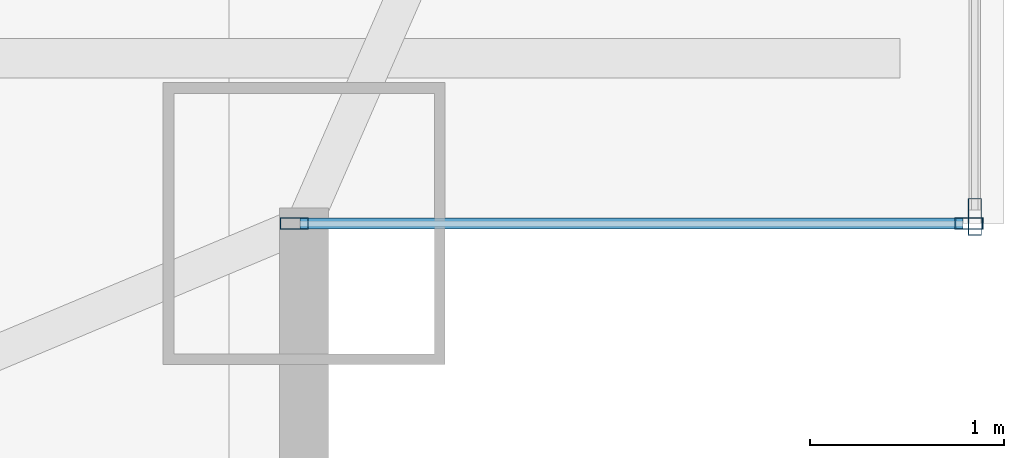
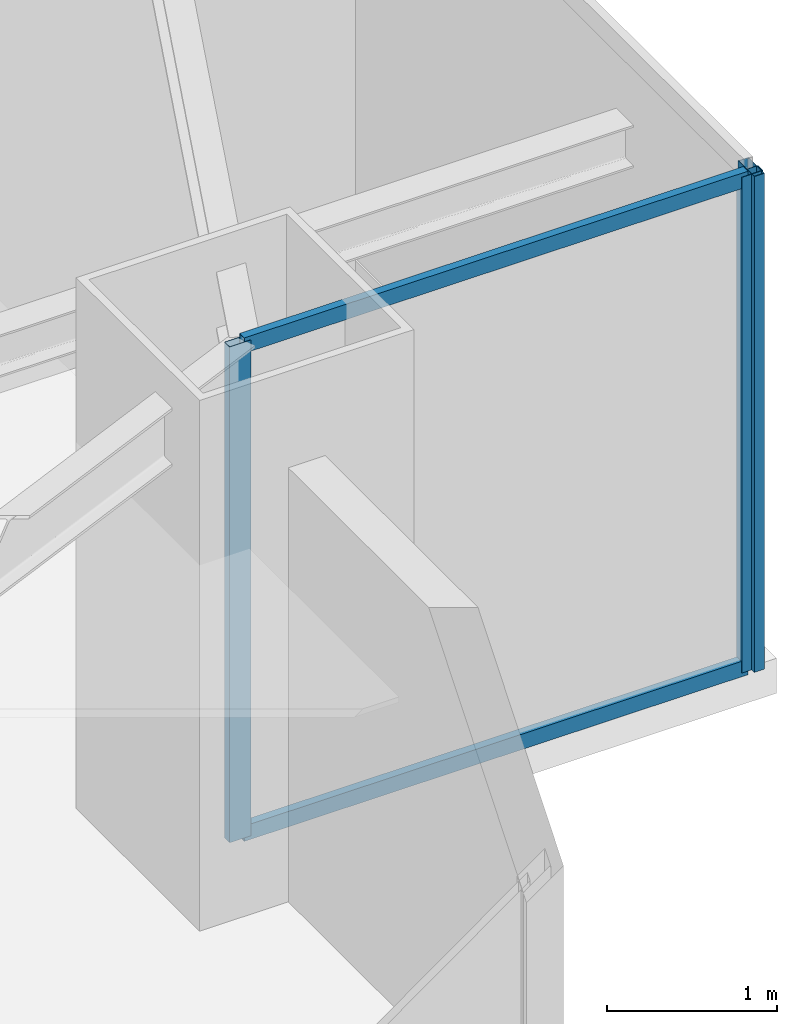
# One storey, part 16 of 34: 5 members, 2 elements without a shape of their own.
"""IFC4 building model written with IfcOpenShell, lengths in metres."""

from ifc_helpers import new_model, si_unit, direction, frame, origin, origin_2d, place, context, subcontext, project, spatial, hollow_rectangle, extrude, source, transform, mapped, material, layer, layer_set, material_profile, profile_set, type_object, type_shapes, element, aggregate, save


model = new_model("IFC4")

# Units and contexts
model_context = context("Model", 3, precision=1e-05, world=origin(), true_north=direction((0.0, 1.0)))
body_context = subcontext(model_context, "Body", "Model", "MODEL_VIEW")
ifc_project = project(units=[si_unit("LENGTHUNIT", "METRE"), si_unit("AREAUNIT", "SQUARE_METRE"), si_unit("VOLUMEUNIT", "CUBIC_METRE"), si_unit("PLANEANGLEUNIT", "RADIAN"), si_unit("MASSUNIT", "GRAM", prefix="KILO")], contexts=[model_context])

# Site, building, storey
site_placement = place(None, origin())
site = spatial("IfcSite", under=ifc_project, at=site_placement, CompositionType="ELEMENT")
building_placement = place(site_placement, origin())
building = spatial("IfcBuilding", under=site, at=building_placement, Name="Varnel Quay Broadcast Tower", CompositionType="ELEMENT")
storey_placement = place(building_placement, frame((0.0, 0.0, 110.60009765625)))
storey = spatial("IfcBuildingStorey", under=building, at=storey_placement, Name="L26", CompositionType="ELEMENT", Elevation=110.60009765625)

# Curtain wall, members
ifc_material = material(Name="Anodised Bronze Aluminium 6063-T6", Category="aluminium")
ifc_layer_1 = layer(ifc_material, 0.18994140625, Name="Anodised Bronze Aluminium 6063-T6")
ifc_layer_set_1 = layer_set([ifc_layer_1], Name="Anodised Bronze Aluminium 6063-T6")
curtain_wall_type_1 = type_object("IfcCurtainWallType", Name="CW_NotchCorner", PredefinedType="NOTDEFINED", material=ifc_layer_set_1)
curtain_wall_1_placement = place(storey_placement, origin())
curtain_wall_1 = element("IfcCurtainWall", 1, at=curtain_wall_1_placement, inside=storey, type_object=curtain_wall_type_1, Name="L26 SE Notch Curtain Wall", PredefinedType="NOTDEFINED")
ifc_material_profile_1 = material_profile(ifc_material, hollow_rectangle(XDim=0.054931640625, YDim=0.110107421875, WallThickness=0.0029296875, at=origin_2d()), Name="ALU55X110X3")
ifc_profile_set_1 = profile_set([ifc_material_profile_1], Name="Anodised Bronze Aluminium 6063-T6")
member_type_1 = type_object("IfcMemberType", Name="Tran_CWS-04", PredefinedType="USERDEFINED", material=ifc_profile_set_1)
shared_shape_1 = source(origin(), body_context, "Body", "SweptSolid", [
    extrude(hollow_rectangle(XDim=0.054931640625, YDim=0.110107421875, WallThickness=0.0029296875, at=origin_2d()), origin(), (0.0, 0.0, 1.0), 3.41015625),
])
type_shapes(member_type_1, [shared_shape_1])
member_1_placement = place(storey_placement, frame((59.8798828125, 7.800048828125, 0.02734375), z_axis=(1.0, 0.0, 0.0), x_axis=(0.0, 1.0, 0.0)))
member_1 = element("IfcMember", 2, at=member_1_placement, type_object=member_type_1, Name="CWS-04 transom 1.1", ObjectType="TRANSOM", PredefinedType="USERDEFINED", context=body_context, shape_type="MappedRepresentation", body=[
    mapped(shared_shape_1, transform((0.0, 0.0, 0.0), x_axis=(1.0, 0.0, 0.0), y_axis=(0.0, 1.0, 0.0), z_axis=(0.0, 0.0, 1.0), scale=1.0)),
])
member_2_placement = place(storey_placement, frame((59.8798828125, 7.800048828125, 3.5224609375), z_axis=(1.0, 0.0, 0.0), x_axis=(0.0, 1.0, 0.0)))
member_2 = element("IfcMember", 3, at=member_2_placement, type_object=member_type_1, Name="CWS-04 transom 1.2", ObjectType="TRANSOM", PredefinedType="USERDEFINED", context=body_context, shape_type="MappedRepresentation", body=[
    mapped(shared_shape_1, transform((0.0, 0.0, 0.0), x_axis=(1.0, 0.0, 0.0), y_axis=(0.0, 1.0, 0.0), z_axis=(0.0, 0.0, 1.0), scale=1.0)),
])

# Curtain wall, member
ifc_layer_2 = layer(ifc_material, 0.18994140625, Name="Anodised Bronze Aluminium 6063-T6")
ifc_layer_set_2 = layer_set([ifc_layer_2], Name="Anodised Bronze Aluminium 6063-T6")
curtain_wall_type_2 = type_object("IfcCurtainWallType", Name="CW_LowerTower", PredefinedType="NOTDEFINED", material=ifc_layer_set_2)
curtain_wall_2_placement = place(storey_placement, origin())
curtain_wall_2 = element("IfcCurtainWall", 4, at=curtain_wall_2_placement, inside=storey, type_object=curtain_wall_type_2, Name="L26 East Unitised Curtain Wall", PredefinedType="NOTDEFINED")
ifc_material_profile_2 = material_profile(ifc_material, hollow_rectangle(XDim=0.070068359375, YDim=0.18994140625, WallThickness=0.00390625, at=origin_2d()), Name="ALU70X190X4")
ifc_profile_set_2 = profile_set([ifc_material_profile_2], Name="Anodised Bronze Aluminium 6063-T6")
member_type_2 = type_object("IfcMemberType", Name="Mull_CWS-02", PredefinedType="MULLION", material=ifc_profile_set_2)
shared_shape_2 = source(origin(), body_context, "Body", "SweptSolid", [
    extrude(hollow_rectangle(XDim=0.070068359375, YDim=0.18994140625, WallThickness=0.00390625, at=origin_2d()), origin(), (0.0, 0.0, 1.0), 3.5498046875),
])
type_shapes(member_type_2, [shared_shape_2])
member_3_placement = place(storey_placement, frame((63.35009765625, 7.8349609375, 0.0), z_axis=(0.0, 0.0, 1.0), x_axis=(-1.0, 0.0, 0.0)))
member_3 = element("IfcMember", 5, at=member_3_placement, type_object=member_type_2, Name="CWS-02 mullion 1", PredefinedType="MULLION", context=body_context, shape_type="MappedRepresentation", body=[
    mapped(shared_shape_2, transform((0.0, 0.0, 0.0), x_axis=(1.0, 0.0, 0.0), y_axis=(0.0, 1.0, 0.0), z_axis=(0.0, 0.0, 1.0), scale=1.0)),
])
aggregate(curtain_wall_2, [member_3])

# Member
ifc_material_profile_3 = material_profile(ifc_material, hollow_rectangle(XDim=0.06005859375, YDim=0.14501953125, WallThickness=0.00341796875, at=origin_2d()), Name="ALU60X145X3.5")
ifc_profile_set_3 = profile_set([ifc_material_profile_3], Name="Anodised Bronze Aluminium 6063-T6")
member_type_3 = type_object("IfcMemberType", Name="Mull_CWS-04", PredefinedType="MULLION", material=ifc_profile_set_3)
shared_shape_3 = source(origin(), body_context, "Body", "SweptSolid", [
    extrude(hollow_rectangle(XDim=0.06005859375, YDim=0.14501953125, WallThickness=0.00341796875, at=origin_2d()), origin(), (0.0, 0.0, 1.0), 3.5498046875),
])
type_shapes(member_type_3, [shared_shape_3])
member_4_placement = place(storey_placement, frame((59.85009765625, 7.800048828125, 0.0), z_axis=(0.0, 0.0, 1.0), x_axis=(0.0, 1.0, 0.0)))
member_4 = element("IfcMember", 6, at=member_4_placement, type_object=member_type_3, Name="CWS-04 mullion 1", PredefinedType="MULLION", context=body_context, shape_type="MappedRepresentation", body=[
    mapped(shared_shape_3, transform((0.0, 0.0, 0.0), x_axis=(1.0, 0.0, 0.0), y_axis=(0.0, 1.0, 0.0), z_axis=(0.0, 0.0, 1.0), scale=1.0)),
])

member_5_placement = place(storey_placement, frame((63.320068359375, 7.800048828125, 0.0), z_axis=(0.0, 0.0, 1.0), x_axis=(0.0, 1.0, 0.0)))
member_5 = element("IfcMember", 7, at=member_5_placement, type_object=member_type_3, Name="CWS-04 mullion 2", PredefinedType="MULLION", context=body_context, shape_type="MappedRepresentation", body=[
    mapped(shared_shape_3, transform((0.0, 0.0, 0.0), x_axis=(1.0, 0.0, 0.0), y_axis=(0.0, 1.0, 0.0), z_axis=(0.0, 0.0, 1.0), scale=1.0)),
])

aggregate(curtain_wall_1, [member_4, member_5, member_1, member_2])

save(model, "model.ifc")
